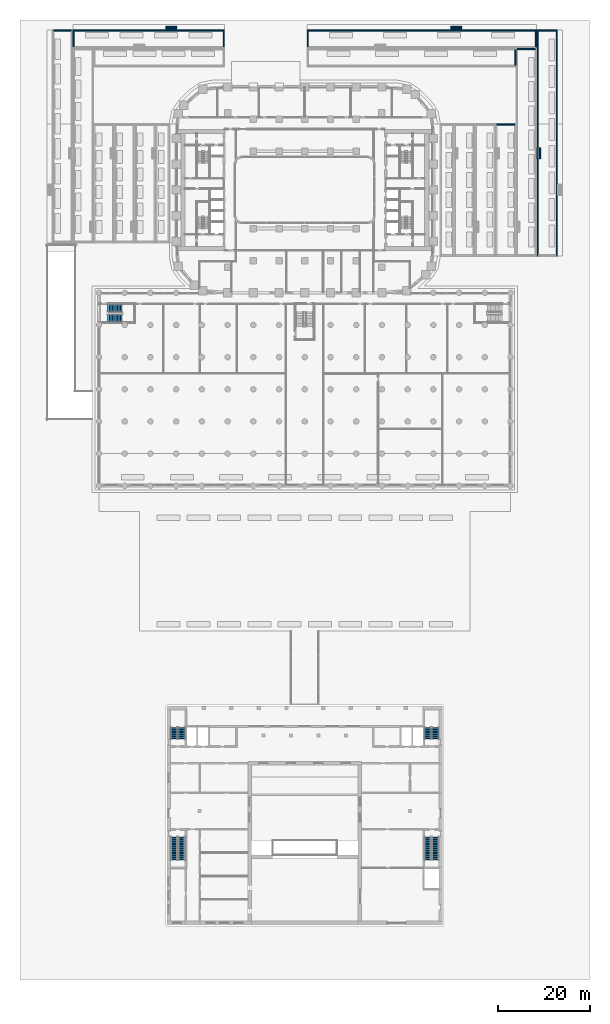
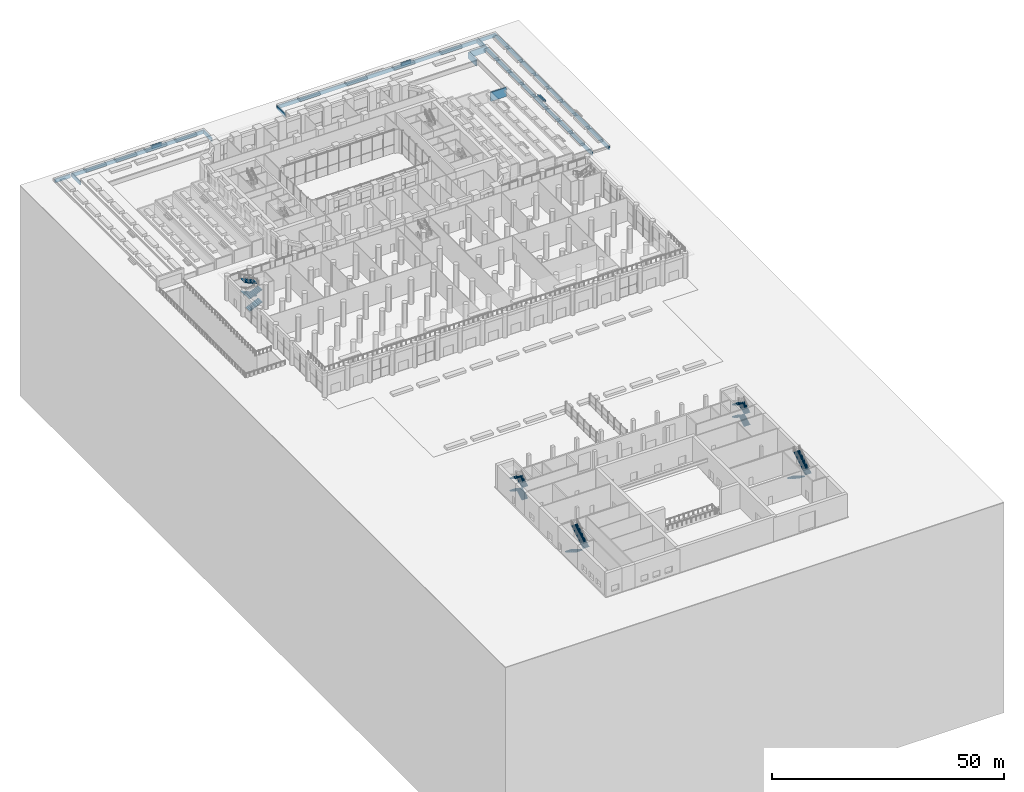
# One storey, part 39 of 51: 21 walls, 16 stair flights, 5 elements without a shape of their own.
"""IFC4 building model written with IfcOpenShell, lengths in metres."""

from ifc_helpers import new_model, si_unit, direction, frame, frame_2d, origin, place, context, subcontext, project, spatial, polyline, rectangle, outline, extrude, material, layer, layer_set, type_object, element, aggregate, save


model = new_model("IFC4")

# Units and contexts
model_context = context("Model", 3, precision=1e-05, world=origin(), true_north=direction((0.0, 1.0)))
body_context = subcontext(model_context, "Body", "Model", "MODEL_VIEW")
ifc_project = project(units=[si_unit("LENGTHUNIT", "METRE"), si_unit("AREAUNIT", "SQUARE_METRE"), si_unit("VOLUMEUNIT", "CUBIC_METRE"), si_unit("PLANEANGLEUNIT", "RADIAN"), si_unit("MASSUNIT", "GRAM", prefix="KILO")], contexts=[model_context])

# Site, building, storey
site_placement = place(None, origin())
site = spatial("IfcSite", under=ifc_project, at=site_placement, CompositionType="ELEMENT")
building_placement = place(site_placement, origin())
building = spatial("IfcBuilding", under=site, at=building_placement, Name="Kiln Ring Residences", CompositionType="ELEMENT")
storey_placement = place(building_placement, origin())
storey = spatial("IfcBuildingStorey", under=building, at=storey_placement, Name="L00", CompositionType="ELEMENT", Elevation=0.0)

# Walls
ifc_material_1 = material(Name="Concrete C35/45", Category="concrete")
ifc_layer_1 = layer(ifc_material_1, 0.300048828125)
ifc_layer_set_1 = layer_set([ifc_layer_1], Name="TERRACE RETAINING WALL 300")
wall_type_1 = type_object("IfcWallType", Name="TERRACE RETAINING WALL 300", PredefinedType="SOLIDWALL", material=ifc_layer_set_1)
wall_1_placement = place(storey_placement, frame((41.800048828125, 14.25, -0.5), z_axis=(0.0, 0.0, 1.0), x_axis=(1.0, 0.0, 0.0)))
element("IfcWall", 1, at=wall_1_placement, inside=storey, type_object=wall_type_1, Name="Terrace end wall E4 n", PredefinedType="SOLIDWALL", context=body_context, shape_type="SweptSolid", body=[
    extrude(rectangle(XDim=3.89990234375, YDim=0.300048828125, at=frame_2d((1.949951171875, 0.0))), origin(), (0.0, 0.0, 1.0), 2.35009765625),
])
wall_2_placement = place(storey_placement, frame((46.300048828125, 30.699951171875, -0.5), z_axis=(0.0, 0.0, 1.0), x_axis=(1.0, 0.0, 0.0)))
element("IfcWall", 2, at=wall_2_placement, inside=storey, type_object=wall_type_1, Name="Terrace end wall E5 n", PredefinedType="SOLIDWALL", context=body_context, shape_type="SweptSolid", body=[
    extrude(rectangle(XDim=3.89990234375, YDim=0.300048828125, at=frame_2d((1.949951171875, 0.0))), origin(), (0.0, 0.0, 1.0), 1.64990234375),
])
for number, where, z_axis, x_axis, name in (
    (3, (50.64990234375, -14.39990234375, -0.5), (0.0, 0.0, 1.0), (0.0, 1.0, 0.0), "Terrace retaining wall E6 in"),
    (4, (54.85009765625, -14.39990234375, -0.5), (0.0, 0.0, 1.0), (0.0, 1.0, 0.0), "Terrace retaining wall E6 out"),
):
    element("IfcWall", number, at=place(storey_placement, frame(where, z_axis=z_axis, x_axis=x_axis)), inside=storey, type_object=wall_type_1, Name=name, PredefinedType="SOLIDWALL", context=body_context, shape_type="SweptSolid", body=[
        extrude(rectangle(XDim=49.25, YDim=0.300048828125, at=frame_2d((24.625, 0.0))), origin(), (0.0, 0.0, 1.0), 0.949951171875),
    ])
for number, where, z_axis, x_axis, name in (
    (5, (50.800048828125, 34.699951171875, -0.5), (0.0, 0.0, 1.0), (1.0, 0.0, 0.0), "Terrace end wall E6 n"),
    (6, (-54.699951171875, 34.699951171875, -0.5), (0.0, 0.0, 1.0), (1.0, 0.0, 0.0), "Terrace end wall W6 n"),
):
    element("IfcWall", number, at=place(storey_placement, frame(where, z_axis=z_axis, x_axis=x_axis)), inside=storey, type_object=wall_type_1, Name=name, PredefinedType="SOLIDWALL", context=body_context, shape_type="SweptSolid", body=[
        extrude(rectangle(XDim=3.89990234375, YDim=0.300048828125, at=frame_2d((1.949951171875, 0.0))), origin(), (0.0, 0.0, 1.0), 0.949951171875),
    ])
wall_3_placement = place(storey_placement, frame((45.85009765625, 27.14990234375, -0.5), z_axis=(0.0, 0.0, 1.0), x_axis=(0.0, 1.0, 0.0)))
element("IfcWall", 7, at=wall_3_placement, inside=storey, type_object=wall_type_1, Name="Terrace retaining wall N1E e", PredefinedType="SOLIDWALL", context=body_context, shape_type="SweptSolid", body=[
    extrude(rectangle(XDim=3.400146484375, YDim=0.300048828125, at=frame_2d((1.7001953125, 0.0))), origin(), (0.0, 0.0, 1.0), 1.64990234375),
])
wall_4_placement = place(storey_placement, frame((-50.5, 34.699951171875, -0.5), z_axis=(0.0, 0.0, 1.0), x_axis=(1.0, 0.0, 0.0)))
element("IfcWall", 8, at=wall_4_placement, inside=storey, type_object=wall_type_1, Name="Terrace retaining wall N2W out", PredefinedType="SOLIDWALL", context=body_context, shape_type="SweptSolid", body=[
    extrude(rectangle(XDim=33.0, YDim=0.300048828125, at=frame_2d((16.5, 0.0))), origin(), (0.0, 0.0, 1.0), 0.949951171875),
])
for number, where, z_axis, x_axis, name in (
    (9, (-50.35009765625, 31.14990234375, -0.5), (0.0, 0.0, 1.0), (0.0, 1.0, 0.0), "Terrace retaining wall N2W w"),
    (10, (-17.64990234375, 31.14990234375, -0.5), (0.0, 0.0, 1.0), (0.0, 1.0, 0.0), "Terrace retaining wall N2W e"),
):
    element("IfcWall", number, at=place(storey_placement, frame(where, z_axis=z_axis, x_axis=x_axis)), inside=storey, type_object=wall_type_1, Name=name, PredefinedType="SOLIDWALL", context=body_context, shape_type="SweptSolid", body=[
        extrude(rectangle(XDim=3.400146484375, YDim=0.300048828125, at=frame_2d((1.7001953125, 0.0))), origin(), (0.0, 0.0, 1.0), 0.949951171875),
    ])
wall_5_placement = place(storey_placement, frame((0.5, 34.699951171875, -0.5), z_axis=(0.0, 0.0, 1.0), x_axis=(1.0, 0.0, 0.0)))
element("IfcWall", 11, at=wall_5_placement, inside=storey, type_object=wall_type_1, Name="Terrace retaining wall N2E out", PredefinedType="SOLIDWALL", context=body_context, shape_type="SweptSolid", body=[
    extrude(rectangle(XDim=50.0, YDim=0.300048828125, at=frame_2d((25.0, 0.0))), origin(), (0.0, 0.0, 1.0), 0.949951171875),
])
for number, where, z_axis, x_axis, name in (
    (12, (0.64990234375, 31.14990234375, -0.5), (0.0, 0.0, 1.0), (0.0, 1.0, 0.0), "Terrace retaining wall N2E w"),
    (13, (50.35009765625, 31.14990234375, -0.5), (0.0, 0.0, 1.0), (0.0, 1.0, 0.0), "Terrace retaining wall N2E e"),
):
    element("IfcWall", number, at=place(storey_placement, frame(where, z_axis=z_axis, x_axis=x_axis)), inside=storey, type_object=wall_type_1, Name=name, PredefinedType="SOLIDWALL", context=body_context, shape_type="SweptSolid", body=[
        extrude(rectangle(XDim=3.400146484375, YDim=0.300048828125, at=frame_2d((1.7001953125, 0.0))), origin(), (0.0, 0.0, 1.0), 0.949951171875),
    ])
ifc_material_2 = material(Name="Concrete C35/45", Category="concrete")
ifc_layer_2 = layer(ifc_material_2, 0.280029296875)
ifc_layer_set_2 = layer_set([ifc_layer_2], Name="TERRACE STEP 280")
wall_type_2 = type_object("IfcWallType", Name="TERRACE STEP 280", PredefinedType="SOLIDWALL", material=ifc_layer_set_2)
wall_6_placement = place(storey_placement, frame((51.199951171875, 6.800048828125, 0.699951171875), z_axis=(0.0, 0.0, 1.0), x_axis=(0.0, 1.0, 0.0)))
element("IfcWall", 14, at=wall_6_placement, inside=storey, type_object=wall_type_2, Name="Terrace step E5-1", PredefinedType="SOLIDWALL", context=body_context, shape_type="SweptSolid", body=[
    extrude(rectangle(XDim=2.39990234375, YDim=0.280029296875, at=frame_2d((1.199951171875, 0.0))), origin(), (0.0, 0.0, 1.0), 0.175048828125),
])
wall_7_placement = place(storey_placement, frame((50.639892578125, 6.800048828125, 0.699951171875), z_axis=(0.0, 0.0, 1.0), x_axis=(0.0, 1.0, 0.0)))
element("IfcWall", 15, at=wall_7_placement, inside=storey, type_object=wall_type_2, Name="Terrace step E5-3", PredefinedType="SOLIDWALL", context=body_context, shape_type="SweptSolid", body=[
    extrude(rectangle(XDim=2.39990234375, YDim=0.280029296875, at=frame_2d((1.199951171875, 0.0))), origin(), (0.0, 0.0, 1.0), 0.525146484375),
])
wall_8_placement = place(storey_placement, frame((-30.25, 35.550048828125, -0.5), z_axis=(0.0, 0.0, 1.0), x_axis=(1.0, 0.0, 0.0)))
element("IfcWall", 16, at=wall_8_placement, inside=storey, type_object=wall_type_2, Name="Terrace step N2W-1", PredefinedType="SOLIDWALL", context=body_context, shape_type="SweptSolid", body=[
    extrude(rectangle(XDim=2.39990234375, YDim=0.280029296875, at=frame_2d((1.199951171875, 0.0))), origin(), (0.0, 0.0, 1.0), 0.675048828125),
])
wall_9_placement = place(storey_placement, frame((-30.25, 35.27001953125, -0.5), z_axis=(0.0, 0.0, 1.0), x_axis=(1.0, 0.0, 0.0)))
element("IfcWall", 17, at=wall_9_placement, inside=storey, type_object=wall_type_2, Name="Terrace step N2W-2", PredefinedType="SOLIDWALL", context=body_context, shape_type="SweptSolid", body=[
    extrude(rectangle(XDim=2.39990234375, YDim=0.280029296875, at=frame_2d((1.199951171875, 0.0))), origin(), (0.0, 0.0, 1.0), 0.85009765625),
])
wall_10_placement = place(storey_placement, frame((-30.25, 34.989990234375, -0.5), z_axis=(0.0, 0.0, 1.0), x_axis=(1.0, 0.0, 0.0)))
element("IfcWall", 18, at=wall_10_placement, inside=storey, type_object=wall_type_2, Name="Terrace step N2W-3", PredefinedType="SOLIDWALL", context=body_context, shape_type="SweptSolid", body=[
    extrude(rectangle(XDim=2.39990234375, YDim=0.280029296875, at=frame_2d((1.199951171875, 0.0))), origin(), (0.0, 0.0, 1.0), 1.02490234375),
])
wall_11_placement = place(storey_placement, frame((31.800048828125, 35.550048828125, -0.5), z_axis=(0.0, 0.0, 1.0), x_axis=(1.0, 0.0, 0.0)))
element("IfcWall", 19, at=wall_11_placement, inside=storey, type_object=wall_type_2, Name="Terrace step N2E-1", PredefinedType="SOLIDWALL", context=body_context, shape_type="SweptSolid", body=[
    extrude(rectangle(XDim=2.39990234375, YDim=0.280029296875, at=frame_2d((1.199951171875, 0.0))), origin(), (0.0, 0.0, 1.0), 0.675048828125),
])
wall_12_placement = place(storey_placement, frame((31.800048828125, 35.27001953125, -0.5), z_axis=(0.0, 0.0, 1.0), x_axis=(1.0, 0.0, 0.0)))
element("IfcWall", 20, at=wall_12_placement, inside=storey, type_object=wall_type_2, Name="Terrace step N2E-2", PredefinedType="SOLIDWALL", context=body_context, shape_type="SweptSolid", body=[
    extrude(rectangle(XDim=2.39990234375, YDim=0.280029296875, at=frame_2d((1.199951171875, 0.0))), origin(), (0.0, 0.0, 1.0), 0.85009765625),
])
wall_13_placement = place(storey_placement, frame((31.800048828125, 34.989990234375, -0.5), z_axis=(0.0, 0.0, 1.0), x_axis=(1.0, 0.0, 0.0)))
element("IfcWall", 21, at=wall_13_placement, inside=storey, type_object=wall_type_2, Name="Terrace step N2E-3", PredefinedType="SOLIDWALL", context=body_context, shape_type="SweptSolid", body=[
    extrude(rectangle(XDim=2.39990234375, YDim=0.280029296875, at=frame_2d((1.199951171875, 0.0))), origin(), (0.0, 0.0, 1.0), 1.02490234375),
])

# Stair, stair flights
ifc_material_3 = material(Name="Concrete C40/50", Category="concrete")
stair_type_1 = type_object("IfcStairType", Name="Hall reinforced concrete stair", PredefinedType="HALF_TURN_STAIR", material=ifc_material_3)
placement = place(storey_placement, origin())
stair_1 = element("IfcStair", 22, at=placement, inside=storey, type_object=stair_type_1, Name="L00 Hall stair ST1", PredefinedType="HALF_TURN_STAIR")
ifc_material_4 = material(Name="Concrete C40/50", Category="concrete")
stair_flight_type_1 = type_object("IfcStairFlightType", Name="Hall reinforced concrete stair flight", PredefinedType="STRAIGHT", material=ifc_material_4)
stair_flight_1_placement = place(storey_placement, frame((-26.800048828125, -119.550048828125, 0.0), z_axis=(0.0, 0.0, 1.0), x_axis=(0.0, 1.0, 0.0)))
stair_flight_1 = element("IfcStairFlight", 23, at=stair_flight_1_placement, type_object=stair_flight_type_1, Name="HALL.ST1 flight 1", NumberOfRisers=10, NumberOfTreads=9, PredefinedType="STRAIGHT", RiserHeight=0.1625, TreadLength=0.28, context=body_context, shape_type="SweptSolid", body=[
    extrude(outline(polyline([(0.0, 0.0), (0.0, 0.16259765625), (0.280029296875, 0.16259765625), (0.280029296875, 0.324951171875), (0.56005859375, 0.324951171875), (0.56005859375, 0.487548828125), (0.840087890625, 0.487548828125), (0.840087890625, 0.64990234375), (1.1201171875, 0.64990234375), (1.1201171875, 0.8125), (1.39990234375, 0.8125), (1.39990234375, 0.97509765625), (1.679931640625, 0.97509765625), (1.679931640625, 1.137451171875), (1.9599609375, 1.137451171875), (1.9599609375, 1.300048828125), (2.239990234375, 1.300048828125), (2.239990234375, 1.46240234375), (2.52001953125, 1.46240234375), (2.52001953125, 1.625), (2.52001953125, 1.2890625), (0.298583984375, 0.0), (0.0, 0.0)])), frame((0.0, 0.75, 0.0), z_axis=(0.0, -1.0, 0.0), x_axis=(1.0, 0.0, 0.0)), (0.0, 0.0, 1.0), 1.5),
])
stair_flight_2_placement = place(storey_placement, frame((-28.449951171875, -117.030029296875, 1.625), z_axis=(0.0, 0.0, 1.0), x_axis=(0.0, -1.0, 0.0)))
stair_flight_2 = element("IfcStairFlight", 24, at=stair_flight_2_placement, type_object=stair_flight_type_1, Name="HALL.ST1 flight 2", NumberOfRisers=10, NumberOfTreads=9, PredefinedType="STRAIGHT", RiserHeight=0.1625, TreadLength=0.28, context=body_context, shape_type="SweptSolid", body=[
    extrude(outline(polyline([(0.0, 0.0), (0.0, 0.16259765625), (0.280029296875, 0.16259765625), (0.280029296875, 0.324951171875), (0.56005859375, 0.324951171875), (0.56005859375, 0.487548828125), (0.840087890625, 0.487548828125), (0.840087890625, 0.64990234375), (1.1201171875, 0.64990234375), (1.1201171875, 0.8125), (1.39990234375, 0.8125), (1.39990234375, 0.97509765625), (1.679931640625, 0.97509765625), (1.679931640625, 1.137451171875), (1.9599609375, 1.137451171875), (1.9599609375, 1.300048828125), (2.239990234375, 1.300048828125), (2.239990234375, 1.46240234375), (2.52001953125, 1.46240234375), (2.52001953125, 1.625), (2.52001953125, 1.2890625), (0.298583984375, 0.0), (0.0, 0.0)])), frame((0.0, 0.75, 0.0), z_axis=(0.0, -1.0, 0.0), x_axis=(1.0, 0.0, 0.0)), (0.0, 0.0, 1.0), 1.5),
])
stair_flight_3_placement = place(storey_placement, frame((-26.800048828125, -119.550048828125, 3.25), z_axis=(0.0, 0.0, 1.0), x_axis=(0.0, 1.0, 0.0)))
stair_flight_3 = element("IfcStairFlight", 25, at=stair_flight_3_placement, type_object=stair_flight_type_1, Name="HALL.ST1 flight 3", NumberOfRisers=10, NumberOfTreads=9, PredefinedType="STRAIGHT", RiserHeight=0.1625, TreadLength=0.28, context=body_context, shape_type="SweptSolid", body=[
    extrude(outline(polyline([(0.0, 0.0), (0.0, 0.16259765625), (0.280029296875, 0.16259765625), (0.280029296875, 0.324951171875), (0.56005859375, 0.324951171875), (0.56005859375, 0.487548828125), (0.840087890625, 0.487548828125), (0.840087890625, 0.64990234375), (1.1201171875, 0.64990234375), (1.1201171875, 0.8125), (1.39990234375, 0.8125), (1.39990234375, 0.97509765625), (1.679931640625, 0.97509765625), (1.679931640625, 1.137451171875), (1.9599609375, 1.137451171875), (1.9599609375, 1.300048828125), (2.239990234375, 1.300048828125), (2.239990234375, 1.46240234375), (2.52001953125, 1.46240234375), (2.52001953125, 1.625), (2.52001953125, 1.2890625), (0.298583984375, 0.0), (0.0, 0.0)])), frame((0.0, 0.75, 0.0), z_axis=(0.0, -1.0, 0.0), x_axis=(1.0, 0.0, 0.0)), (0.0, 0.0, 1.0), 1.5),
])
stair_flight_4_placement = place(storey_placement, frame((-28.449951171875, -117.030029296875, 4.875), z_axis=(0.0, 0.0, 1.0), x_axis=(0.0, -1.0, 0.0)))
stair_flight_4 = element("IfcStairFlight", 26, at=stair_flight_4_placement, type_object=stair_flight_type_1, Name="HALL.ST1 flight 4", NumberOfRisers=10, NumberOfTreads=9, PredefinedType="STRAIGHT", RiserHeight=0.1625, TreadLength=0.28, context=body_context, shape_type="SweptSolid", body=[
    extrude(outline(polyline([(0.0, 0.0), (0.0, 0.16259765625), (0.280029296875, 0.16259765625), (0.280029296875, 0.324951171875), (0.56005859375, 0.324951171875), (0.56005859375, 0.487548828125), (0.840087890625, 0.487548828125), (0.840087890625, 0.64990234375), (1.1201171875, 0.64990234375), (1.1201171875, 0.8125), (1.39990234375, 0.8125), (1.39990234375, 0.97509765625), (1.679931640625, 0.97509765625), (1.679931640625, 1.137451171875), (1.9599609375, 1.137451171875), (1.9599609375, 1.300048828125), (2.239990234375, 1.300048828125), (2.239990234375, 1.46240234375), (2.52001953125, 1.46240234375), (2.52001953125, 1.625), (2.52001953125, 1.2890625), (0.298583984375, 0.0), (0.0, 0.0)])), frame((0.0, 0.75, 0.0), z_axis=(0.0, -1.0, 0.0), x_axis=(1.0, 0.0, 0.0)), (0.0, 0.0, 1.0), 1.5),
])
aggregate(stair_1, [stair_flight_1, stair_flight_2, stair_flight_3, stair_flight_4])

stair_2 = element("IfcStair", 27, at=placement, inside=storey, type_object=stair_type_1, Name="L00 Hall stair ST2", PredefinedType="HALF_TURN_STAIR")
stair_flight_5_placement = place(storey_placement, frame((28.449951171875, -119.550048828125, 0.0), z_axis=(0.0, 0.0, 1.0), x_axis=(0.0, 1.0, 0.0)))
stair_flight_5 = element("IfcStairFlight", 28, at=stair_flight_5_placement, type_object=stair_flight_type_1, Name="HALL.ST2 flight 1", NumberOfRisers=10, NumberOfTreads=9, PredefinedType="STRAIGHT", RiserHeight=0.1625, TreadLength=0.28, context=body_context, shape_type="SweptSolid", body=[
    extrude(outline(polyline([(0.0, 0.0), (0.0, 0.16259765625), (0.280029296875, 0.16259765625), (0.280029296875, 0.324951171875), (0.56005859375, 0.324951171875), (0.56005859375, 0.487548828125), (0.840087890625, 0.487548828125), (0.840087890625, 0.64990234375), (1.1201171875, 0.64990234375), (1.1201171875, 0.8125), (1.39990234375, 0.8125), (1.39990234375, 0.97509765625), (1.679931640625, 0.97509765625), (1.679931640625, 1.137451171875), (1.9599609375, 1.137451171875), (1.9599609375, 1.300048828125), (2.239990234375, 1.300048828125), (2.239990234375, 1.46240234375), (2.52001953125, 1.46240234375), (2.52001953125, 1.625), (2.52001953125, 1.2890625), (0.298583984375, 0.0), (0.0, 0.0)])), frame((0.0, 0.75, 0.0), z_axis=(0.0, -1.0, 0.0), x_axis=(1.0, 0.0, 0.0)), (0.0, 0.0, 1.0), 1.5),
])
stair_flight_6_placement = place(storey_placement, frame((26.800048828125, -117.030029296875, 1.625), z_axis=(0.0, 0.0, 1.0), x_axis=(0.0, -1.0, 0.0)))
stair_flight_6 = element("IfcStairFlight", 29, at=stair_flight_6_placement, type_object=stair_flight_type_1, Name="HALL.ST2 flight 2", NumberOfRisers=10, NumberOfTreads=9, PredefinedType="STRAIGHT", RiserHeight=0.1625, TreadLength=0.28, context=body_context, shape_type="SweptSolid", body=[
    extrude(outline(polyline([(0.0, 0.0), (0.0, 0.16259765625), (0.280029296875, 0.16259765625), (0.280029296875, 0.324951171875), (0.56005859375, 0.324951171875), (0.56005859375, 0.487548828125), (0.840087890625, 0.487548828125), (0.840087890625, 0.64990234375), (1.1201171875, 0.64990234375), (1.1201171875, 0.8125), (1.39990234375, 0.8125), (1.39990234375, 0.97509765625), (1.679931640625, 0.97509765625), (1.679931640625, 1.137451171875), (1.9599609375, 1.137451171875), (1.9599609375, 1.300048828125), (2.239990234375, 1.300048828125), (2.239990234375, 1.46240234375), (2.52001953125, 1.46240234375), (2.52001953125, 1.625), (2.52001953125, 1.2890625), (0.298583984375, 0.0), (0.0, 0.0)])), frame((0.0, 0.75, 0.0), z_axis=(0.0, -1.0, 0.0), x_axis=(1.0, 0.0, 0.0)), (0.0, 0.0, 1.0), 1.5),
])
stair_flight_7_placement = place(storey_placement, frame((28.449951171875, -119.550048828125, 3.25), z_axis=(0.0, 0.0, 1.0), x_axis=(0.0, 1.0, 0.0)))
stair_flight_7 = element("IfcStairFlight", 30, at=stair_flight_7_placement, type_object=stair_flight_type_1, Name="HALL.ST2 flight 3", NumberOfRisers=10, NumberOfTreads=9, PredefinedType="STRAIGHT", RiserHeight=0.1625, TreadLength=0.28, context=body_context, shape_type="SweptSolid", body=[
    extrude(outline(polyline([(0.0, 0.0), (0.0, 0.16259765625), (0.280029296875, 0.16259765625), (0.280029296875, 0.324951171875), (0.56005859375, 0.324951171875), (0.56005859375, 0.487548828125), (0.840087890625, 0.487548828125), (0.840087890625, 0.64990234375), (1.1201171875, 0.64990234375), (1.1201171875, 0.8125), (1.39990234375, 0.8125), (1.39990234375, 0.97509765625), (1.679931640625, 0.97509765625), (1.679931640625, 1.137451171875), (1.9599609375, 1.137451171875), (1.9599609375, 1.300048828125), (2.239990234375, 1.300048828125), (2.239990234375, 1.46240234375), (2.52001953125, 1.46240234375), (2.52001953125, 1.625), (2.52001953125, 1.2890625), (0.298583984375, 0.0), (0.0, 0.0)])), frame((0.0, 0.75, 0.0), z_axis=(0.0, -1.0, 0.0), x_axis=(1.0, 0.0, 0.0)), (0.0, 0.0, 1.0), 1.5),
])
stair_flight_8_placement = place(storey_placement, frame((26.800048828125, -117.030029296875, 4.875), z_axis=(0.0, 0.0, 1.0), x_axis=(0.0, -1.0, 0.0)))
stair_flight_8 = element("IfcStairFlight", 31, at=stair_flight_8_placement, type_object=stair_flight_type_1, Name="HALL.ST2 flight 4", NumberOfRisers=10, NumberOfTreads=9, PredefinedType="STRAIGHT", RiserHeight=0.1625, TreadLength=0.28, context=body_context, shape_type="SweptSolid", body=[
    extrude(outline(polyline([(0.0, 0.0), (0.0, 0.16259765625), (0.280029296875, 0.16259765625), (0.280029296875, 0.324951171875), (0.56005859375, 0.324951171875), (0.56005859375, 0.487548828125), (0.840087890625, 0.487548828125), (0.840087890625, 0.64990234375), (1.1201171875, 0.64990234375), (1.1201171875, 0.8125), (1.39990234375, 0.8125), (1.39990234375, 0.97509765625), (1.679931640625, 0.97509765625), (1.679931640625, 1.137451171875), (1.9599609375, 1.137451171875), (1.9599609375, 1.300048828125), (2.239990234375, 1.300048828125), (2.239990234375, 1.46240234375), (2.52001953125, 1.46240234375), (2.52001953125, 1.625), (2.52001953125, 1.2890625), (0.298583984375, 0.0), (0.0, 0.0)])), frame((0.0, 0.75, 0.0), z_axis=(0.0, -1.0, 0.0), x_axis=(1.0, 0.0, 0.0)), (0.0, 0.0, 1.0), 1.5),
])
aggregate(stair_2, [stair_flight_5, stair_flight_6, stair_flight_7, stair_flight_8])

stair_3 = element("IfcStair", 32, at=placement, inside=storey, type_object=stair_type_1, Name="L00 Hall stair ST3", PredefinedType="HALF_TURN_STAIR")
stair_flight_9_placement = place(storey_placement, frame((-28.449951171875, -140.85009765625, 0.0), z_axis=(0.0, 0.0, 1.0), x_axis=(0.0, -1.0, 0.0)))
stair_flight_9 = element("IfcStairFlight", 33, at=stair_flight_9_placement, type_object=stair_flight_type_1, Name="HALL.ST3 flight 1", NumberOfRisers=19, NumberOfTreads=18, PredefinedType="STRAIGHT", RiserHeight=0.171052632, TreadLength=0.28, context=body_context, shape_type="SweptSolid", body=[
    extrude(outline(polyline([(0.0, 0.0), (0.0, 0.171142578125), (0.280029296875, 0.171142578125), (0.280029296875, 0.342041015625), (0.56005859375, 0.342041015625), (0.56005859375, 0.51318359375), (0.840087890625, 0.51318359375), (0.840087890625, 0.684326171875), (1.1201171875, 0.684326171875), (1.1201171875, 0.855224609375), (1.39990234375, 0.855224609375), (1.39990234375, 1.0263671875), (1.679931640625, 1.0263671875), (1.679931640625, 1.197265625), (1.9599609375, 1.197265625), (1.9599609375, 1.368408203125), (2.239990234375, 1.368408203125), (2.239990234375, 1.53955078125), (2.52001953125, 1.53955078125), (2.52001953125, 1.71044921875), (2.800048828125, 1.71044921875), (2.800048828125, 1.881591796875), (3.080078125, 1.881591796875), (3.080078125, 2.052734375), (3.360107421875, 2.052734375), (3.360107421875, 2.2236328125), (3.639892578125, 2.2236328125), (3.639892578125, 2.394775390625), (3.919921875, 2.394775390625), (3.919921875, 2.565673828125), (4.199951171875, 2.565673828125), (4.199951171875, 2.73681640625), (4.47998046875, 2.73681640625), (4.47998046875, 2.907958984375), (4.760009765625, 2.907958984375), (4.760009765625, 3.078857421875), (5.0400390625, 3.078857421875), (5.0400390625, 3.25), (5.0400390625, 2.9033203125), (0.28759765625, 0.0), (0.0, 0.0)])), frame((0.0, 0.75, 0.0), z_axis=(0.0, -1.0, 0.0), x_axis=(1.0, 0.0, 0.0)), (0.0, 0.0, 1.0), 1.5),
])
stair_flight_10_placement = place(storey_placement, frame((-26.800048828125, -145.889892578125, 3.25), z_axis=(0.0, 0.0, 1.0), x_axis=(0.0, 1.0, 0.0)))
stair_flight_10 = element("IfcStairFlight", 34, at=stair_flight_10_placement, type_object=stair_flight_type_1, Name="HALL.ST3 flight 2", NumberOfRisers=19, NumberOfTreads=18, PredefinedType="STRAIGHT", RiserHeight=0.171052632, TreadLength=0.28, context=body_context, shape_type="SweptSolid", body=[
    extrude(outline(polyline([(0.0, 0.0), (0.0, 0.171142578125), (0.280029296875, 0.171142578125), (0.280029296875, 0.342041015625), (0.56005859375, 0.342041015625), (0.56005859375, 0.51318359375), (0.840087890625, 0.51318359375), (0.840087890625, 0.684326171875), (1.1201171875, 0.684326171875), (1.1201171875, 0.855224609375), (1.39990234375, 0.855224609375), (1.39990234375, 1.0263671875), (1.679931640625, 1.0263671875), (1.679931640625, 1.197265625), (1.9599609375, 1.197265625), (1.9599609375, 1.368408203125), (2.239990234375, 1.368408203125), (2.239990234375, 1.53955078125), (2.52001953125, 1.53955078125), (2.52001953125, 1.71044921875), (2.800048828125, 1.71044921875), (2.800048828125, 1.881591796875), (3.080078125, 1.881591796875), (3.080078125, 2.052734375), (3.360107421875, 2.052734375), (3.360107421875, 2.2236328125), (3.639892578125, 2.2236328125), (3.639892578125, 2.394775390625), (3.919921875, 2.394775390625), (3.919921875, 2.565673828125), (4.199951171875, 2.565673828125), (4.199951171875, 2.73681640625), (4.47998046875, 2.73681640625), (4.47998046875, 2.907958984375), (4.760009765625, 2.907958984375), (4.760009765625, 3.078857421875), (5.0400390625, 3.078857421875), (5.0400390625, 3.25), (5.0400390625, 2.9033203125), (0.28759765625, 0.0), (0.0, 0.0)])), frame((0.0, 0.75, 0.0), z_axis=(0.0, -1.0, 0.0), x_axis=(1.0, 0.0, 0.0)), (0.0, 0.0, 1.0), 1.5),
])
aggregate(stair_3, [stair_flight_9, stair_flight_10])

stair_4 = element("IfcStair", 35, at=placement, inside=storey, type_object=stair_type_1, Name="L00 Hall stair ST4", PredefinedType="HALF_TURN_STAIR")
stair_flight_11_placement = place(storey_placement, frame((26.800048828125, -140.85009765625, 0.0), z_axis=(0.0, 0.0, 1.0), x_axis=(0.0, -1.0, 0.0)))
stair_flight_11 = element("IfcStairFlight", 36, at=stair_flight_11_placement, type_object=stair_flight_type_1, Name="HALL.ST4 flight 1", NumberOfRisers=19, NumberOfTreads=18, PredefinedType="STRAIGHT", RiserHeight=0.171052632, TreadLength=0.28, context=body_context, shape_type="SweptSolid", body=[
    extrude(outline(polyline([(0.0, 0.0), (0.0, 0.171142578125), (0.280029296875, 0.171142578125), (0.280029296875, 0.342041015625), (0.56005859375, 0.342041015625), (0.56005859375, 0.51318359375), (0.840087890625, 0.51318359375), (0.840087890625, 0.684326171875), (1.1201171875, 0.684326171875), (1.1201171875, 0.855224609375), (1.39990234375, 0.855224609375), (1.39990234375, 1.0263671875), (1.679931640625, 1.0263671875), (1.679931640625, 1.197265625), (1.9599609375, 1.197265625), (1.9599609375, 1.368408203125), (2.239990234375, 1.368408203125), (2.239990234375, 1.53955078125), (2.52001953125, 1.53955078125), (2.52001953125, 1.71044921875), (2.800048828125, 1.71044921875), (2.800048828125, 1.881591796875), (3.080078125, 1.881591796875), (3.080078125, 2.052734375), (3.360107421875, 2.052734375), (3.360107421875, 2.2236328125), (3.639892578125, 2.2236328125), (3.639892578125, 2.394775390625), (3.919921875, 2.394775390625), (3.919921875, 2.565673828125), (4.199951171875, 2.565673828125), (4.199951171875, 2.73681640625), (4.47998046875, 2.73681640625), (4.47998046875, 2.907958984375), (4.760009765625, 2.907958984375), (4.760009765625, 3.078857421875), (5.0400390625, 3.078857421875), (5.0400390625, 3.25), (5.0400390625, 2.9033203125), (0.28759765625, 0.0), (0.0, 0.0)])), frame((0.0, 0.75, 0.0), z_axis=(0.0, -1.0, 0.0), x_axis=(1.0, 0.0, 0.0)), (0.0, 0.0, 1.0), 1.5),
])
stair_flight_12_placement = place(storey_placement, frame((28.449951171875, -145.889892578125, 3.25), z_axis=(0.0, 0.0, 1.0), x_axis=(0.0, 1.0, 0.0)))
stair_flight_12 = element("IfcStairFlight", 37, at=stair_flight_12_placement, type_object=stair_flight_type_1, Name="HALL.ST4 flight 2", NumberOfRisers=19, NumberOfTreads=18, PredefinedType="STRAIGHT", RiserHeight=0.171052632, TreadLength=0.28, context=body_context, shape_type="SweptSolid", body=[
    extrude(outline(polyline([(0.0, 0.0), (0.0, 0.171142578125), (0.280029296875, 0.171142578125), (0.280029296875, 0.342041015625), (0.56005859375, 0.342041015625), (0.56005859375, 0.51318359375), (0.840087890625, 0.51318359375), (0.840087890625, 0.684326171875), (1.1201171875, 0.684326171875), (1.1201171875, 0.855224609375), (1.39990234375, 0.855224609375), (1.39990234375, 1.0263671875), (1.679931640625, 1.0263671875), (1.679931640625, 1.197265625), (1.9599609375, 1.197265625), (1.9599609375, 1.368408203125), (2.239990234375, 1.368408203125), (2.239990234375, 1.53955078125), (2.52001953125, 1.53955078125), (2.52001953125, 1.71044921875), (2.800048828125, 1.71044921875), (2.800048828125, 1.881591796875), (3.080078125, 1.881591796875), (3.080078125, 2.052734375), (3.360107421875, 2.052734375), (3.360107421875, 2.2236328125), (3.639892578125, 2.2236328125), (3.639892578125, 2.394775390625), (3.919921875, 2.394775390625), (3.919921875, 2.565673828125), (4.199951171875, 2.565673828125), (4.199951171875, 2.73681640625), (4.47998046875, 2.73681640625), (4.47998046875, 2.907958984375), (4.760009765625, 2.907958984375), (4.760009765625, 3.078857421875), (5.0400390625, 3.078857421875), (5.0400390625, 3.25), (5.0400390625, 2.9033203125), (0.28759765625, 0.0), (0.0, 0.0)])), frame((0.0, 0.75, 0.0), z_axis=(0.0, -1.0, 0.0), x_axis=(1.0, 0.0, 0.0)), (0.0, 0.0, 1.0), 1.5),
])
aggregate(stair_4, [stair_flight_11, stair_flight_12])

ifc_material_5 = material(Name="Concrete C40/50", Category="concrete")
stair_type_2 = type_object("IfcStairType", Name="PODIUM-STAIR", PredefinedType="HALF_TURN_STAIR", material=ifc_material_5)
stair_5 = element("IfcStair", 38, at=placement, inside=storey, type_object=stair_type_2, Name="L00 exit stair PS-W", PredefinedType="HALF_TURN_STAIR")
ifc_material_6 = material(Name="Concrete C40/50", Category="concrete")
stair_flight_type_2 = type_object("IfcStairFlightType", Name="PODIUM-STAIR-FLIGHT", PredefinedType="STRAIGHT", material=ifc_material_6)
stair_flight_13_placement = place(storey_placement, frame((-42.89990234375, -27.949951171875, 0.0), z_axis=(0.0, 0.0, 1.0), x_axis=(1.0, 0.0, 0.0)))
stair_flight_13 = element("IfcStairFlight", 39, at=stair_flight_13_placement, type_object=stair_flight_type_2, Name="PS-W flight 1", NumberOfRisers=10, NumberOfTreads=9, PredefinedType="STRAIGHT", RiserHeight=0.1625, TreadLength=0.35, context=body_context, shape_type="SweptSolid", body=[
    extrude(outline(polyline([(0.0, 0.0), (0.0, 0.16259765625), (0.35009765625, 0.16259765625), (0.35009765625, 0.324951171875), (0.699951171875, 0.324951171875), (0.699951171875, 0.487548828125), (1.050048828125, 0.487548828125), (1.050048828125, 0.64990234375), (1.39990234375, 0.64990234375), (1.39990234375, 0.8125), (1.75, 0.8125), (1.75, 0.97509765625), (2.10009765625, 0.97509765625), (2.10009765625, 1.137451171875), (2.449951171875, 1.137451171875), (2.449951171875, 1.300048828125), (2.800048828125, 1.300048828125), (2.800048828125, 1.46240234375), (3.14990234375, 1.46240234375), (3.14990234375, 1.625), (3.14990234375, 1.297119140625), (0.35595703125, 0.0), (0.0, 0.0)])), frame((0.0, 0.85009765625, 0.0), z_axis=(0.0, -1.0, 0.0), x_axis=(1.0, 0.0, 0.0)), (0.0, 0.0, 1.0), 1.699951171875),
])
stair_flight_14_placement = place(storey_placement, frame((-39.75, -25.75, 1.625), z_axis=(0.0, 0.0, 1.0), x_axis=(-1.0, 0.0, 0.0)))
stair_flight_14 = element("IfcStairFlight", 40, at=stair_flight_14_placement, type_object=stair_flight_type_2, Name="PS-W flight 2", NumberOfRisers=10, NumberOfTreads=9, PredefinedType="STRAIGHT", RiserHeight=0.1625, TreadLength=0.35, context=body_context, shape_type="SweptSolid", body=[
    extrude(outline(polyline([(0.0, 0.0), (0.0, 0.16259765625), (0.35009765625, 0.16259765625), (0.35009765625, 0.324951171875), (0.699951171875, 0.324951171875), (0.699951171875, 0.487548828125), (1.050048828125, 0.487548828125), (1.050048828125, 0.64990234375), (1.39990234375, 0.64990234375), (1.39990234375, 0.8125), (1.75, 0.8125), (1.75, 0.97509765625), (2.10009765625, 0.97509765625), (2.10009765625, 1.137451171875), (2.449951171875, 1.137451171875), (2.449951171875, 1.300048828125), (2.800048828125, 1.300048828125), (2.800048828125, 1.46240234375), (3.14990234375, 1.46240234375), (3.14990234375, 1.625), (3.14990234375, 1.297119140625), (0.35595703125, 0.0), (0.0, 0.0)])), frame((0.0, 0.85009765625, 0.0), z_axis=(0.0, -1.0, 0.0), x_axis=(1.0, 0.0, 0.0)), (0.0, 0.0, 1.0), 1.699951171875),
])
stair_flight_15_placement = place(storey_placement, frame((-42.89990234375, -27.949951171875, 3.25), z_axis=(0.0, 0.0, 1.0), x_axis=(1.0, 0.0, 0.0)))
stair_flight_15 = element("IfcStairFlight", 41, at=stair_flight_15_placement, type_object=stair_flight_type_2, Name="PS-W flight 3", NumberOfRisers=10, NumberOfTreads=9, PredefinedType="STRAIGHT", RiserHeight=0.1625, TreadLength=0.35, context=body_context, shape_type="SweptSolid", body=[
    extrude(outline(polyline([(0.0, 0.0), (0.0, 0.16259765625), (0.35009765625, 0.16259765625), (0.35009765625, 0.324951171875), (0.699951171875, 0.324951171875), (0.699951171875, 0.487548828125), (1.050048828125, 0.487548828125), (1.050048828125, 0.64990234375), (1.39990234375, 0.64990234375), (1.39990234375, 0.8125), (1.75, 0.8125), (1.75, 0.97509765625), (2.10009765625, 0.97509765625), (2.10009765625, 1.137451171875), (2.449951171875, 1.137451171875), (2.449951171875, 1.300048828125), (2.800048828125, 1.300048828125), (2.800048828125, 1.46240234375), (3.14990234375, 1.46240234375), (3.14990234375, 1.625), (3.14990234375, 1.297119140625), (0.35595703125, 0.0), (0.0, 0.0)])), frame((0.0, 0.85009765625, 0.0), z_axis=(0.0, -1.0, 0.0), x_axis=(1.0, 0.0, 0.0)), (0.0, 0.0, 1.0), 1.699951171875),
])
stair_flight_16_placement = place(storey_placement, frame((-39.75, -25.75, 4.875), z_axis=(0.0, 0.0, 1.0), x_axis=(-1.0, 0.0, 0.0)))
stair_flight_16 = element("IfcStairFlight", 42, at=stair_flight_16_placement, type_object=stair_flight_type_2, Name="PS-W flight 4", NumberOfRisers=10, NumberOfTreads=9, PredefinedType="STRAIGHT", RiserHeight=0.1625, TreadLength=0.35, context=body_context, shape_type="SweptSolid", body=[
    extrude(outline(polyline([(0.0, 0.0), (0.0, 0.16259765625), (0.35009765625, 0.16259765625), (0.35009765625, 0.324951171875), (0.699951171875, 0.324951171875), (0.699951171875, 0.487548828125), (1.050048828125, 0.487548828125), (1.050048828125, 0.64990234375), (1.39990234375, 0.64990234375), (1.39990234375, 0.8125), (1.75, 0.8125), (1.75, 0.97509765625), (2.10009765625, 0.97509765625), (2.10009765625, 1.137451171875), (2.449951171875, 1.137451171875), (2.449951171875, 1.300048828125), (2.800048828125, 1.300048828125), (2.800048828125, 1.46240234375), (3.14990234375, 1.46240234375), (3.14990234375, 1.625), (3.14990234375, 1.297119140625), (0.35595703125, 0.0), (0.0, 0.0)])), frame((0.0, 0.85009765625, 0.0), z_axis=(0.0, -1.0, 0.0), x_axis=(1.0, 0.0, 0.0)), (0.0, 0.0, 1.0), 1.699951171875),
])
aggregate(stair_5, [stair_flight_13, stair_flight_14, stair_flight_15, stair_flight_16])

save(model, "model.ifc")
